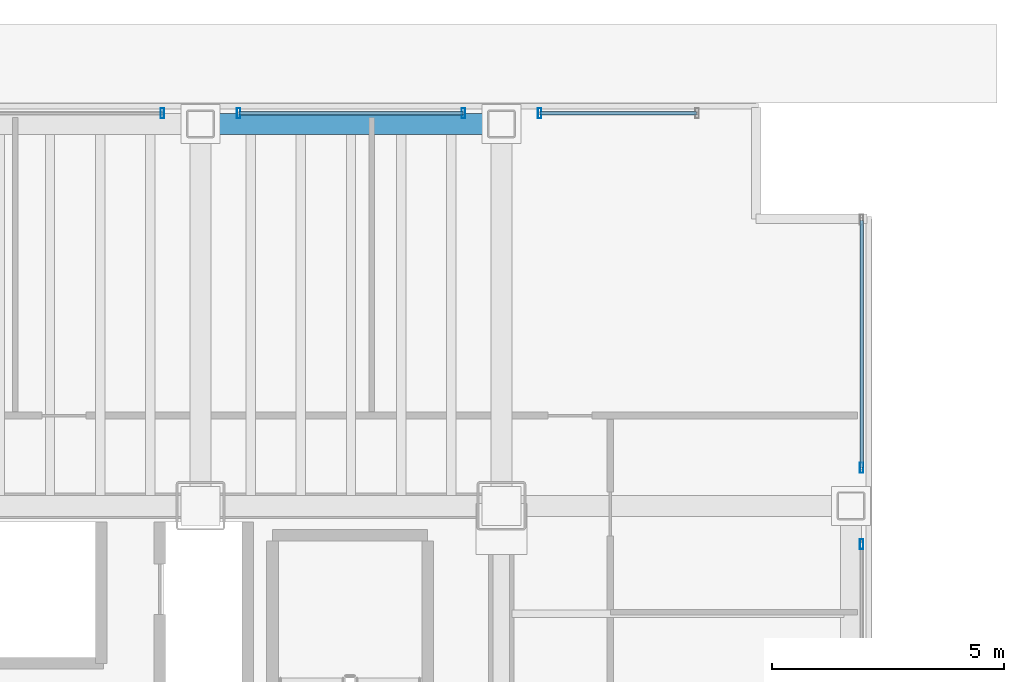
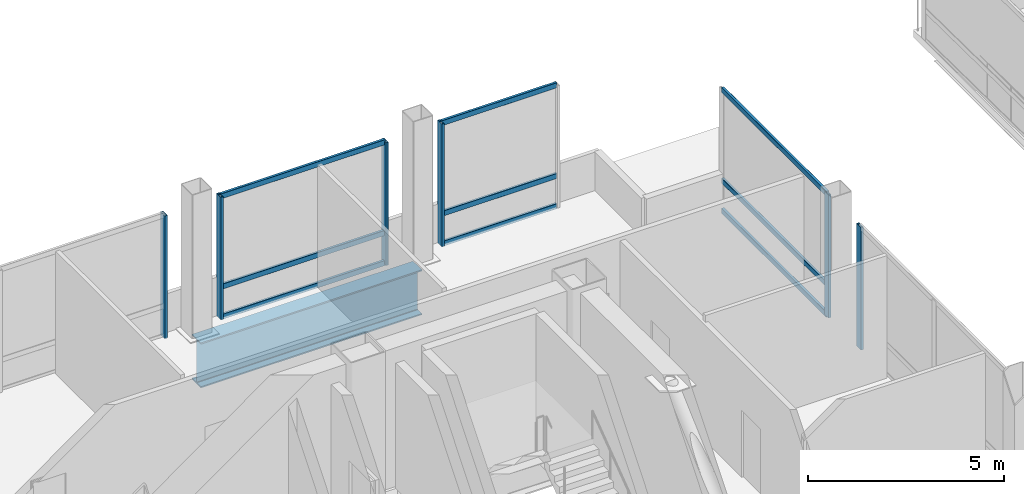
# One storey, part 21 of 34: 15 members, 1 beam, 5 elements without a shape of their own.
"""IFC4 building model written with IfcOpenShell, lengths in metres."""

from ifc_helpers import new_model, si_unit, direction, frame, origin, origin_2d, place, context, subcontext, project, spatial, hollow_rectangle, i_section, extrude, material, material_profile, profile_set, type_object, element, aggregate, save


model = new_model("IFC4")

# Units and contexts
model_context = context("Model", 3, precision=1e-05, world=origin(), true_north=direction((0.0, 1.0)))
body_context = subcontext(model_context, "Body", "Model", "MODEL_VIEW")
ifc_project = project(units=[si_unit("LENGTHUNIT", "METRE"), si_unit("AREAUNIT", "SQUARE_METRE"), si_unit("VOLUMEUNIT", "CUBIC_METRE"), si_unit("PLANEANGLEUNIT", "RADIAN"), si_unit("MASSUNIT", "GRAM", prefix="KILO")], contexts=[model_context])

# Site, building, storey
site_placement = place(None, origin())
site = spatial("IfcSite", under=ifc_project, at=site_placement, CompositionType="ELEMENT")
building_placement = place(site_placement, origin())
building = spatial("IfcBuilding", under=site, at=building_placement, Name="Noeulbin Bourse Tower", CompositionType="ELEMENT")
storey_placement = place(building_placement, frame((0.0, 0.0, 22.0)))
storey = spatial("IfcBuildingStorey", under=building, at=storey_placement, Name="L05", CompositionType="ELEMENT", Elevation=22.0)

# Beam
ifc_material_1 = material(Name="Steel S460", Category="steel")
ifc_material_profile_1 = material_profile(ifc_material_1, i_section(OverallWidth=0.449951171875, OverallDepth=1.39990234375, WebThickness=0.02392578125, FlangeThickness=0.0400390625, FilletRadius=0.02392578125, at=origin_2d()), Name="PG-1400x450x24x40", Category="LoadBearing")
ifc_profile_set_1 = profile_set([ifc_material_profile_1], Name="Steel S460")
beam_type = type_object("IfcBeamType", Name="BM-TRF-1400", PredefinedType="USERDEFINED", material=ifc_profile_set_1)
beam_placement = place(storey_placement, frame((37.5, 46.550048828125, -0.93994140625), z_axis=(1.0, 0.0, 0.0), x_axis=(0.0, 1.0, 0.0)))
element("IfcBeam", 1, at=beam_placement, inside=storey, type_object=beam_type, Name="North Spandrel L05-4", ObjectType="GIRDER", PredefinedType="USERDEFINED", context=body_context, shape_type="SweptSolid", body=[
    extrude(i_section(OverallWidth=0.449951171875, OverallDepth=1.39990234375, WebThickness=0.02392578125, FlangeThickness=0.0400390625, FilletRadius=0.02392578125, at=origin_2d()), origin(), (0.0, 0.0, 1.0), 6.5),
])

# Curtain wall, member
ifc_material_2 = material(Name="Dark Solar-Control Double Glazing", Category="glass")
curtain_wall_type = type_object("IfcCurtainWallType", Name="CW-SYS-2", PredefinedType="NOTDEFINED", material=ifc_material_2)
curtain_wall_1_placement = place(storey_placement, origin())
curtain_wall_1 = element("IfcCurtainWall", 2, at=curtain_wall_1_placement, inside=storey, type_object=curtain_wall_type, Name="Unitised Curtain Wall CW-L05-N-S4", PredefinedType="NOTDEFINED")
ifc_material_3 = material(Name="Anodised Aluminium 6063-T6", Category="aluminium")
ifc_material_profile_2 = material_profile(ifc_material_3, hollow_rectangle(XDim=0.074951171875, YDim=0.219970703125, WallThickness=0.0048828125, InnerFilletRadius=0.00244140625, OuterFilletRadius=0.0048828125, at=origin_2d()), Name="ALU-MULL-75x220x5", Category="LoadBearing")
ifc_profile_set_2 = profile_set([ifc_material_profile_2], Name="Anodised Aluminium 6063-T6")
member_type_1 = type_object("IfcMemberType", Name="CW-SYS-2-MUL", PredefinedType="MULLION", material=ifc_profile_set_2)
member_1_placement = place(storey_placement, frame((36.675048828125, 46.780029296875, -0.02001953125), z_axis=(0.0, 0.0, 1.0), x_axis=(1.0, 0.0, 0.0)))
member_1 = element("IfcMember", 3, at=member_1_placement, type_object=member_type_1, Name="Curtain Wall Mullion CW-L05-N-S4-M01", PredefinedType="MULLION", context=body_context, shape_type="SweptSolid", body=[
    extrude(hollow_rectangle(XDim=0.074951171875, YDim=0.219970703125, WallThickness=0.0048828125, InnerFilletRadius=0.00244140625, OuterFilletRadius=0.0048828125, at=origin_2d()), origin(), (0.0, 0.0, 1.0), 3.820068359375),
])
aggregate(curtain_wall_1, [member_1])

# Curtain wall, members
curtain_wall_2_placement = place(storey_placement, origin())
curtain_wall_2 = element("IfcCurtainWall", 4, at=curtain_wall_2_placement, inside=storey, type_object=curtain_wall_type, Name="Unitised Curtain Wall CW-L05-N-S5", PredefinedType="NOTDEFINED")
member_2_placement = place(storey_placement, frame((38.324951171875, 46.780029296875, -0.02001953125), z_axis=(0.0, 0.0, 1.0), x_axis=(1.0, 0.0, 0.0)))
member_2 = element("IfcMember", 5, at=member_2_placement, type_object=member_type_1, Name="Curtain Wall Mullion CW-L05-N-S5-M00", PredefinedType="MULLION", context=body_context, shape_type="SweptSolid", body=[
    extrude(hollow_rectangle(XDim=0.074951171875, YDim=0.219970703125, WallThickness=0.0048828125, InnerFilletRadius=0.00244140625, OuterFilletRadius=0.0048828125, at=origin_2d()), origin(), (0.0, 0.0, 1.0), 3.820068359375),
])
member_3_placement = place(storey_placement, frame((43.175048828125, 46.780029296875, -0.02001953125), z_axis=(0.0, 0.0, 1.0), x_axis=(1.0, 0.0, 0.0)))
member_3 = element("IfcMember", 6, at=member_3_placement, type_object=member_type_1, Name="Curtain Wall Mullion CW-L05-N-S5-M01", PredefinedType="MULLION", context=body_context, shape_type="SweptSolid", body=[
    extrude(hollow_rectangle(XDim=0.074951171875, YDim=0.219970703125, WallThickness=0.0048828125, InnerFilletRadius=0.00244140625, OuterFilletRadius=0.0048828125, at=origin_2d()), origin(), (0.0, 0.0, 1.0), 3.820068359375),
])

# Curtain wall, member
curtain_wall_3_placement = place(storey_placement, origin())
curtain_wall_3 = element("IfcCurtainWall", 7, at=curtain_wall_3_placement, inside=storey, type_object=curtain_wall_type, Name="Unitised Curtain Wall CW-L05-N-S6", PredefinedType="NOTDEFINED")
member_4_placement = place(storey_placement, frame((44.824951171875, 46.780029296875, -0.02001953125), z_axis=(0.0, 0.0, 1.0), x_axis=(1.0, 0.0, 0.0)))
member_4 = element("IfcMember", 8, at=member_4_placement, type_object=member_type_1, Name="Curtain Wall Mullion CW-L05-N-S6-M00", PredefinedType="MULLION", context=body_context, shape_type="SweptSolid", body=[
    extrude(hollow_rectangle(XDim=0.074951171875, YDim=0.219970703125, WallThickness=0.0048828125, InnerFilletRadius=0.00244140625, OuterFilletRadius=0.0048828125, at=origin_2d()), origin(), (0.0, 0.0, 1.0), 3.820068359375),
])

curtain_wall_4_placement = place(storey_placement, origin())
curtain_wall_4 = element("IfcCurtainWall", 9, at=curtain_wall_4_placement, inside=storey, type_object=curtain_wall_type, Name="Unitised Curtain Wall CW-L05-E-S3", PredefinedType="NOTDEFINED")
member_5_placement = place(storey_placement, frame((51.780029296875, 37.47509765625, -0.02001953125), z_axis=(0.0, 0.0, 1.0), x_axis=(1.0, 0.0, 0.0)))
member_5 = element("IfcMember", 10, at=member_5_placement, type_object=member_type_1, Name="Curtain Wall Mullion CW-L05-E-S3-M02", PredefinedType="MULLION", context=body_context, shape_type="SweptSolid", body=[
    extrude(hollow_rectangle(XDim=0.074951171875, YDim=0.219970703125, WallThickness=0.0048828125, InnerFilletRadius=0.00244140625, OuterFilletRadius=0.0048828125, at=origin_2d()), origin(), (0.0, 0.0, 1.0), 3.820068359375),
])
aggregate(curtain_wall_4, [member_5])

curtain_wall_5_placement = place(storey_placement, origin())
curtain_wall_5 = element("IfcCurtainWall", 11, at=curtain_wall_5_placement, inside=storey, type_object=curtain_wall_type, Name="Unitised Curtain Wall CW-L05-E-S4", PredefinedType="NOTDEFINED")
member_6_placement = place(storey_placement, frame((51.780029296875, 39.125, -0.02001953125), z_axis=(0.0, 0.0, 1.0), x_axis=(1.0, 0.0, 0.0)))
member_6 = element("IfcMember", 12, at=member_6_placement, type_object=member_type_1, Name="Curtain Wall Mullion CW-L05-E-S4-M00", PredefinedType="MULLION", context=body_context, shape_type="SweptSolid", body=[
    extrude(hollow_rectangle(XDim=0.074951171875, YDim=0.219970703125, WallThickness=0.0048828125, InnerFilletRadius=0.00244140625, OuterFilletRadius=0.0048828125, at=origin_2d()), origin(), (0.0, 0.0, 1.0), 3.820068359375),
])

# Member
ifc_material_profile_3 = material_profile(ifc_material_3, hollow_rectangle(XDim=0.074951171875, YDim=0.159912109375, WallThickness=0.0048828125, InnerFilletRadius=0.00244140625, OuterFilletRadius=0.0048828125, at=origin_2d()), Name="ALU-TRAN-75x160x5", Category="LoadBearing")
ifc_profile_set_3 = profile_set([ifc_material_profile_3], Name="Anodised Aluminium 6063-T6")
member_type_2 = type_object("IfcMemberType", Name="CW-SYS-2-TRN", PredefinedType="USERDEFINED", material=ifc_profile_set_3)
member_7_placement = place(storey_placement, frame((38.3349609375, 46.780029296875, 0.010009765625), z_axis=(1.0, 0.0, 0.0), x_axis=(0.0, 1.0, 0.0)))
member_7 = element("IfcMember", 13, at=member_7_placement, type_object=member_type_2, Name="Curtain Wall Transom CW-L05-N-S5-T00", ObjectType="TRANSOM", PredefinedType="USERDEFINED", context=body_context, shape_type="SweptSolid", body=[
    extrude(hollow_rectangle(XDim=0.074951171875, YDim=0.159912109375, WallThickness=0.0048828125, InnerFilletRadius=0.00244140625, OuterFilletRadius=0.0048828125, at=origin_2d()), origin(), (0.0, 0.0, 1.0), 4.830078125),
])

member_8_placement = place(storey_placement, frame((38.3349609375, 46.780029296875, 0.949951171875), z_axis=(1.0, 0.0, 0.0), x_axis=(0.0, 1.0, 0.0)))
member_8 = element("IfcMember", 14, at=member_8_placement, type_object=member_type_2, Name="Curtain Wall Transom CW-L05-N-S5-T01", ObjectType="TRANSOM", PredefinedType="USERDEFINED", context=body_context, shape_type="SweptSolid", body=[
    extrude(hollow_rectangle(XDim=0.074951171875, YDim=0.159912109375, WallThickness=0.0048828125, InnerFilletRadius=0.00244140625, OuterFilletRadius=0.0048828125, at=origin_2d()), origin(), (0.0, 0.0, 1.0), 4.830078125),
])

member_9_placement = place(storey_placement, frame((38.3349609375, 46.780029296875, 3.77001953125), z_axis=(1.0, 0.0, 0.0), x_axis=(0.0, 1.0, 0.0)))
member_9 = element("IfcMember", 15, at=member_9_placement, type_object=member_type_2, Name="Curtain Wall Transom CW-L05-N-S5-T02", ObjectType="TRANSOM", PredefinedType="USERDEFINED", context=body_context, shape_type="SweptSolid", body=[
    extrude(hollow_rectangle(XDim=0.074951171875, YDim=0.159912109375, WallThickness=0.0048828125, InnerFilletRadius=0.00244140625, OuterFilletRadius=0.0048828125, at=origin_2d()), origin(), (0.0, 0.0, 1.0), 4.830078125),
])

aggregate(curtain_wall_2, [member_2, member_3, member_7, member_8, member_9])

member_10_placement = place(storey_placement, frame((44.8349609375, 46.780029296875, 0.010009765625), z_axis=(1.0, 0.0, 0.0), x_axis=(0.0, 1.0, 0.0)))
member_10 = element("IfcMember", 16, at=member_10_placement, type_object=member_type_2, Name="Curtain Wall Transom CW-L05-N-S6-T00", ObjectType="TRANSOM", PredefinedType="USERDEFINED", context=body_context, shape_type="SweptSolid", body=[
    extrude(hollow_rectangle(XDim=0.074951171875, YDim=0.159912109375, WallThickness=0.0048828125, InnerFilletRadius=0.00244140625, OuterFilletRadius=0.0048828125, at=origin_2d()), origin(), (0.0, 0.0, 1.0), 3.380126953125),
])

member_11_placement = place(storey_placement, frame((44.8349609375, 46.780029296875, 0.949951171875), z_axis=(1.0, 0.0, 0.0), x_axis=(0.0, 1.0, 0.0)))
member_11 = element("IfcMember", 17, at=member_11_placement, type_object=member_type_2, Name="Curtain Wall Transom CW-L05-N-S6-T01", ObjectType="TRANSOM", PredefinedType="USERDEFINED", context=body_context, shape_type="SweptSolid", body=[
    extrude(hollow_rectangle(XDim=0.074951171875, YDim=0.159912109375, WallThickness=0.0048828125, InnerFilletRadius=0.00244140625, OuterFilletRadius=0.0048828125, at=origin_2d()), origin(), (0.0, 0.0, 1.0), 3.380126953125),
])

member_12_placement = place(storey_placement, frame((44.8349609375, 46.780029296875, 3.77001953125), z_axis=(1.0, 0.0, 0.0), x_axis=(0.0, 1.0, 0.0)))
member_12 = element("IfcMember", 18, at=member_12_placement, type_object=member_type_2, Name="Curtain Wall Transom CW-L05-N-S6-T02", ObjectType="TRANSOM", PredefinedType="USERDEFINED", context=body_context, shape_type="SweptSolid", body=[
    extrude(hollow_rectangle(XDim=0.074951171875, YDim=0.159912109375, WallThickness=0.0048828125, InnerFilletRadius=0.00244140625, OuterFilletRadius=0.0048828125, at=origin_2d()), origin(), (0.0, 0.0, 1.0), 3.380126953125),
])

aggregate(curtain_wall_3, [member_4, member_10, member_11, member_12])

member_13_placement = place(storey_placement, frame((51.780029296875, 39.135009765625, 0.010009765625), z_axis=(0.0, 1.0, 0.0), x_axis=(-1.0, 0.0, 0.0)))
member_13 = element("IfcMember", 19, at=member_13_placement, type_object=member_type_2, Name="Curtain Wall Transom CW-L05-E-S4-T00", ObjectType="TRANSOM", PredefinedType="USERDEFINED", context=body_context, shape_type="SweptSolid", body=[
    extrude(hollow_rectangle(XDim=0.074951171875, YDim=0.159912109375, WallThickness=0.0048828125, InnerFilletRadius=0.00244140625, OuterFilletRadius=0.0048828125, at=origin_2d()), origin(), (0.0, 0.0, 1.0), 5.3349609375),
])

member_14_placement = place(storey_placement, frame((51.780029296875, 39.135009765625, 0.949951171875), z_axis=(0.0, 1.0, 0.0), x_axis=(-1.0, 0.0, 0.0)))
member_14 = element("IfcMember", 20, at=member_14_placement, type_object=member_type_2, Name="Curtain Wall Transom CW-L05-E-S4-T01", ObjectType="TRANSOM", PredefinedType="USERDEFINED", context=body_context, shape_type="SweptSolid", body=[
    extrude(hollow_rectangle(XDim=0.074951171875, YDim=0.159912109375, WallThickness=0.0048828125, InnerFilletRadius=0.00244140625, OuterFilletRadius=0.0048828125, at=origin_2d()), origin(), (0.0, 0.0, 1.0), 5.3349609375),
])

member_15_placement = place(storey_placement, frame((51.780029296875, 39.135009765625, 3.77001953125), z_axis=(0.0, 1.0, 0.0), x_axis=(-1.0, 0.0, 0.0)))
member_15 = element("IfcMember", 21, at=member_15_placement, type_object=member_type_2, Name="Curtain Wall Transom CW-L05-E-S4-T02", ObjectType="TRANSOM", PredefinedType="USERDEFINED", context=body_context, shape_type="SweptSolid", body=[
    extrude(hollow_rectangle(XDim=0.074951171875, YDim=0.159912109375, WallThickness=0.0048828125, InnerFilletRadius=0.00244140625, OuterFilletRadius=0.0048828125, at=origin_2d()), origin(), (0.0, 0.0, 1.0), 5.3349609375),
])

aggregate(curtain_wall_5, [member_6, member_13, member_14, member_15])

save(model, "model.ifc")
